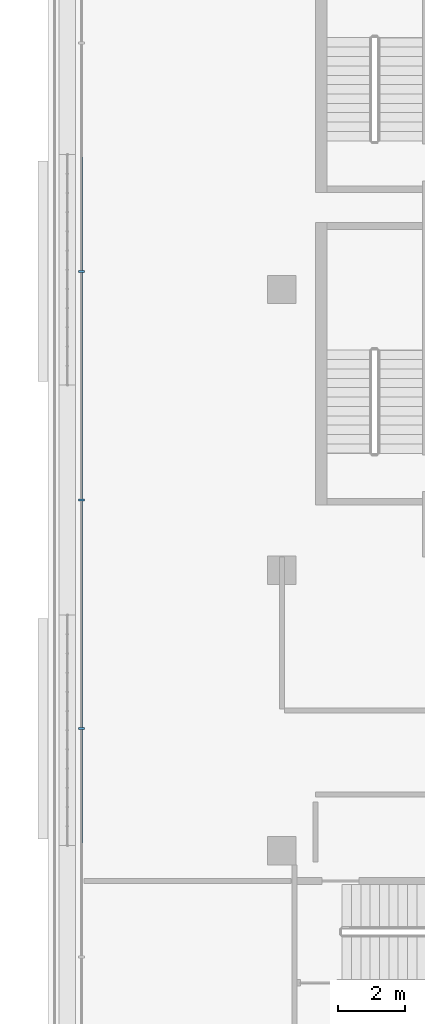
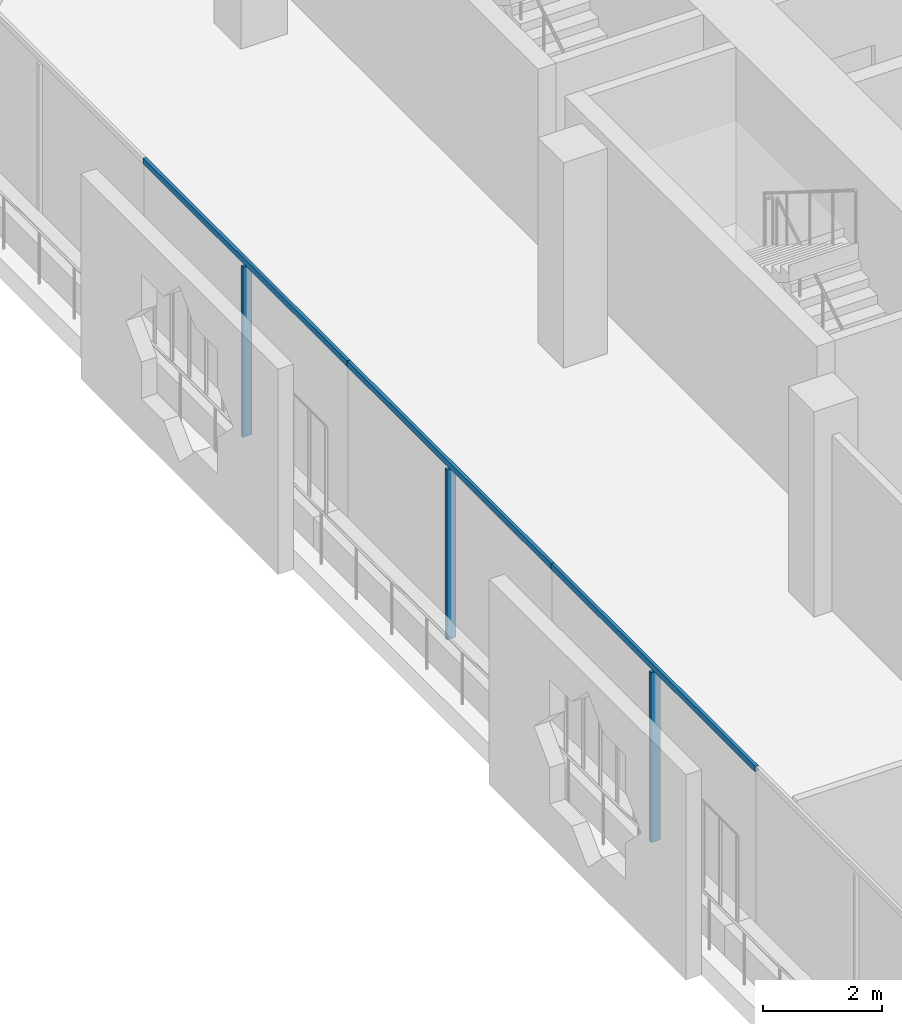
# One storey, part 3 of 22: 6 members, 1 element without a shape of its own.
"""IFC4 building model written with IfcOpenShell, lengths in metres."""

from ifc_helpers import new_model, si_unit, direction, frame, origin, origin_2d, place, context, subcontext, project, spatial, rectangle, extrude, material, layer, layer_set, material_profile, profile_set, type_object, element, aggregate, save


model = new_model("IFC4")

# Units and contexts
model_context = context("Model", 3, precision=1e-05, world=origin(), true_north=direction((0.0, 1.0)))
body_context = subcontext(model_context, "Body", "Model", "MODEL_VIEW")
ifc_project = project(units=[si_unit("LENGTHUNIT", "METRE"), si_unit("AREAUNIT", "SQUARE_METRE"), si_unit("VOLUMEUNIT", "CUBIC_METRE"), si_unit("PLANEANGLEUNIT", "RADIAN"), si_unit("MASSUNIT", "GRAM", prefix="KILO")], contexts=[model_context])

# Site, building, storey
site_placement = place(None, origin())
site = spatial("IfcSite", under=ifc_project, at=site_placement, CompositionType="ELEMENT")
building_placement = place(site_placement, origin())
building = spatial("IfcBuilding", under=site, at=building_placement, Name="Kawkab Arch Medical Tower", CompositionType="ELEMENT")
storey_placement = place(building_placement, frame((0.0, 0.0, 255.800048828125)))
storey = spatial("IfcBuildingStorey", under=building, at=storey_placement, Name="L59", CompositionType="ELEMENT", Elevation=255.800048828125)

# Curtain wall, members
ifc_material_1 = material(Name="Bronze anodised aluminium curtain wall frame", Category="aluminium")
ifc_layer = layer(ifc_material_1, 0.159912109375)
ifc_layer_set = layer_set([ifc_layer], Name="Bronze anodised aluminium curtain wall frame")
curtain_wall_type = type_object("IfcCurtainWallType", Name="CW1 ward curtain wall", PredefinedType="NOTDEFINED", material=ifc_layer_set)
curtain_wall_placement = place(storey_placement, origin())
curtain_wall = element("IfcCurtainWall", 1, at=curtain_wall_placement, inside=storey, type_object=curtain_wall_type, Name="CW1 Ward curtain wall R01", PredefinedType="NOTDEFINED")
ifc_material_2 = material(Name="Bronze anodised aluminium curtain wall frame", Category="aluminium")
ifc_material_profile_1 = material_profile(ifc_material_2, rectangle(XDim=0.179931640625, YDim=0.06005859375, at=origin_2d()), Name="AL 60x180")
ifc_profile_set_1 = profile_set([ifc_material_profile_1], Name="Bronze anodised aluminium curtain wall frame")
member_type_1 = type_object("IfcMemberType", Name="CW1 mullion 60 x 180", PredefinedType="MULLION", material=ifc_profile_set_1)
member_1_placement = place(storey_placement, frame((-6.0, -16.260009765625, 0.0), z_axis=(0.0, 0.0, 1.0), x_axis=(1.0, 0.0, 0.0)))
member_1 = element("IfcMember", 2, at=member_1_placement, type_object=member_type_1, Name="CW1 mullion 2.1", PredefinedType="MULLION", context=body_context, shape_type="SweptSolid", body=[
    extrude(rectangle(XDim=0.179931640625, YDim=0.06005859375, at=origin_2d()), origin(), (0.0, 0.0, 1.0), 3.47998046875),
])
member_2_placement = place(storey_placement, frame((-6.0, -23.10009765625, 0.0), z_axis=(0.0, 0.0, 1.0), x_axis=(1.0, 0.0, 0.0)))
member_2 = element("IfcMember", 3, at=member_2_placement, type_object=member_type_1, Name="CW1 mullion 3.1", PredefinedType="MULLION", context=body_context, shape_type="SweptSolid", body=[
    extrude(rectangle(XDim=0.179931640625, YDim=0.06005859375, at=origin_2d()), origin(), (0.0, 0.0, 1.0), 3.47998046875),
])
member_3_placement = place(storey_placement, frame((-6.0, -29.93994140625, 0.0), z_axis=(0.0, 0.0, 1.0), x_axis=(1.0, 0.0, 0.0)))
member_3 = element("IfcMember", 4, at=member_3_placement, type_object=member_type_1, Name="CW1 mullion 4.1", PredefinedType="MULLION", context=body_context, shape_type="SweptSolid", body=[
    extrude(rectangle(XDim=0.179931640625, YDim=0.06005859375, at=origin_2d()), origin(), (0.0, 0.0, 1.0), 3.47998046875),
])
ifc_material_3 = material(Name="Bronze anodised aluminium curtain wall frame", Category="aluminium")
ifc_material_profile_2 = material_profile(ifc_material_3, rectangle(XDim=0.06005859375, YDim=0.1201171875, at=origin_2d()), Name="AL 60x120")
ifc_profile_set_2 = profile_set([ifc_material_profile_2], Name="Bronze anodised aluminium curtain wall frame")
member_type_2 = type_object("IfcMemberType", Name="CW1 transom 120 x 60", PredefinedType="USERDEFINED", material=ifc_profile_set_2)
member_4_placement = place(storey_placement, frame((-6.0, -12.840087890625, 3.5400390625), z_axis=(0.0, -1.0, 0.0), x_axis=(1.0, 0.0, 0.0)))
member_4 = element("IfcMember", 5, at=member_4_placement, type_object=member_type_2, Name="CW1 transom 2", ObjectType="TRANSOM", PredefinedType="USERDEFINED", context=body_context, shape_type="SweptSolid", body=[
    extrude(rectangle(XDim=0.06005859375, YDim=0.1201171875, at=origin_2d()), origin(), (0.0, 0.0, 1.0), 6.83984375),
])
member_5_placement = place(storey_placement, frame((-6.0, -19.679931640625, 3.5400390625), z_axis=(0.0, -1.0, 0.0), x_axis=(1.0, 0.0, 0.0)))
member_5 = element("IfcMember", 6, at=member_5_placement, type_object=member_type_2, Name="CW1 transom 3", ObjectType="TRANSOM", PredefinedType="USERDEFINED", context=body_context, shape_type="SweptSolid", body=[
    extrude(rectangle(XDim=0.06005859375, YDim=0.1201171875, at=origin_2d()), origin(), (0.0, 0.0, 1.0), 6.840087890625),
])
member_6_placement = place(storey_placement, frame((-6.0, -26.52001953125, 3.5400390625), z_axis=(0.0, -1.0, 0.0), x_axis=(1.0, 0.0, 0.0)))
member_6 = element("IfcMember", 7, at=member_6_placement, type_object=member_type_2, Name="CW1 transom 4", ObjectType="TRANSOM", PredefinedType="USERDEFINED", context=body_context, shape_type="SweptSolid", body=[
    extrude(rectangle(XDim=0.06005859375, YDim=0.1201171875, at=origin_2d()), origin(), (0.0, 0.0, 1.0), 6.840087890625),
])
aggregate(curtain_wall, [member_4, member_1, member_5, member_2, member_6, member_3])

save(model, "model.ifc")
